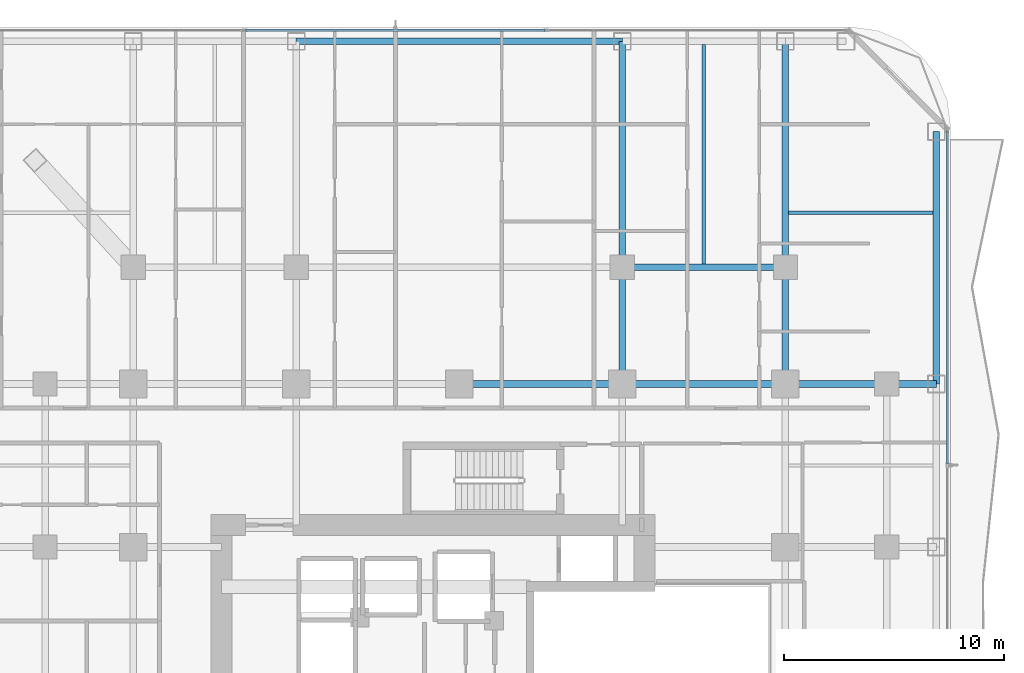
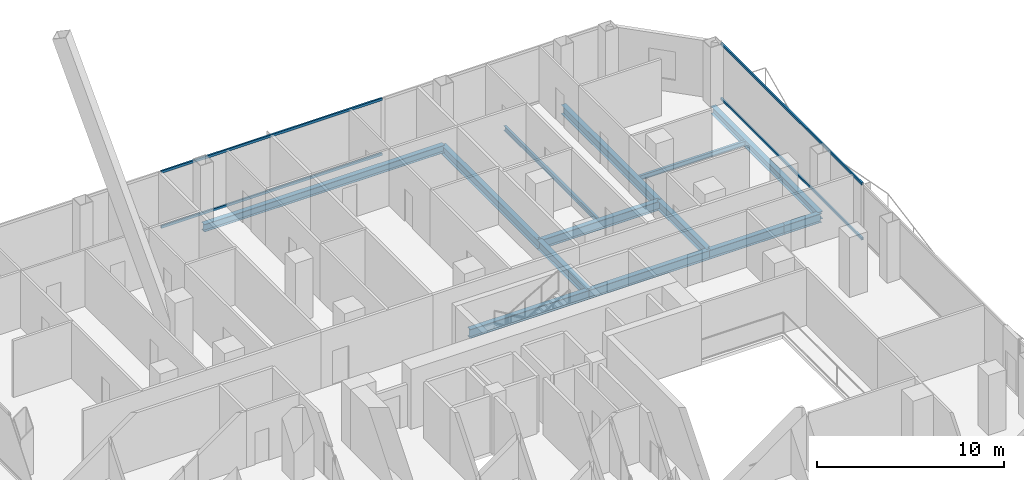
# One storey, part 15 of 28: 13 beams, 4 members, 2 elements without a shape of their own.
"""IFC4 building model written with IfcOpenShell, lengths in metres."""

import ifcopenshell
import ifcopenshell.guid

model = None  # the IFC model being written
_history = None  # IfcOwnerHistory: only IFC2X3 demands one
_inside = {}  # id of a spatial element -> (the spatial element, [elements in it])
_under = {}  # id of a project, library or spatial element -> (it, [spatial elements below it])
_declared = {}  # id of a project -> (the project, [libraries it declares])
_typed = {}  # id of a type object -> (the type object, [elements of that type])
_made_of = {}  # id of a material, layer set ... -> (it, [elements and type objects made of it])


def new_model(schema):
    """Start an empty IFC model of exactly this schema.

    Asked for "IFC4X3", IfcOpenShell would pick the latest addendum, in which some entities
    have other attributes; the version numbers below select the first issue.
    IFC2X3 requires an IfcOwnerHistory on every rooted entity: one is made here for all.
    """
    global model, _history
    if schema == "IFC4X3":
        model = ifcopenshell.file(schema_version=(4, 3, 0, 0))
    else:
        model = ifcopenshell.file(schema=schema)
    _inside.clear()
    _under.clear()
    _declared.clear()
    _typed.clear()
    _made_of.clear()
    _history = None
    if model.schema == "IFC2X3":
        org = make("IfcOrganization", Name="unknown")
        user = make(
            "IfcPersonAndOrganization",
            ThePerson=make("IfcPerson", FamilyName="unknown"),
            TheOrganization=org,
        )
        app = make(
            "IfcApplication",
            ApplicationDeveloper=org,
            Version="unknown",
            ApplicationFullName="unknown",
            ApplicationIdentifier="unknown",
        )
        _history = make(
            "IfcOwnerHistory",
            OwningUser=user,
            OwningApplication=app,
            ChangeAction="ADDED",
            CreationDate=0,
        )
    return model


def make(cls, **values):
    """One entity of the class cls with the attributes given. An attribute that is None is left unset."""
    return model.create_entity(
        cls, **{name: value for name, value in values.items() if value is not None}
    )


def rooted(cls, **values):
    """An entity with a GlobalId (a new one), such as an element, a storey or a relation."""
    return make(cls, GlobalId=ifcopenshell.guid.new(), OwnerHistory=_history, **values)


def si_unit(unit_type, name, prefix=None):
    """IfcSIUnit, for example si_unit("LENGTHUNIT", "METRE", prefix="MILLI")."""
    return make("IfcSIUnit", UnitType=unit_type, Prefix=prefix, Name=name)


def assignment(units):
    """IfcUnitAssignment: the units of a project."""
    return None if units is None else make("IfcUnitAssignment", Units=units)


def point(xyz):
    """IfcCartesianPoint."""
    return None if xyz is None else make("IfcCartesianPoint", Coordinates=xyz)


def direction(xyz):
    """IfcDirection."""
    return None if xyz is None else make("IfcDirection", DirectionRatios=xyz)


def frame(location, z_axis=None, x_axis=None):
    """IfcAxis2Placement3D, a coordinate frame: its origin and axes. An axis left out is left unset."""
    return make(
        "IfcAxis2Placement3D",
        Location=point(location),
        Axis=direction(z_axis),
        RefDirection=direction(x_axis),
    )


def frame_2d(location, x_axis=None):
    """IfcAxis2Placement2D, a coordinate frame in the plane: its origin and x axis."""
    return make(
        "IfcAxis2Placement2D", Location=point(location), RefDirection=direction(x_axis)
    )


def origin():
    """The frame at (0, 0, 0) with its axes left unset."""
    return frame((0.0, 0.0, 0.0))


def origin_2d():
    """The frame at (0, 0) in the plane with its x axis left unset."""
    return frame_2d((0.0, 0.0))


def place(relative_to, where):
    """IfcLocalPlacement: puts the frame where relative to a parent placement (None: the world)."""
    return make(
        "IfcLocalPlacement", PlacementRelTo=relative_to, RelativePlacement=where
    )


def context(
    kind, dimensions, precision=None, world=None, true_north=None, identifier=None
):
    """IfcGeometricRepresentationContext, for example the 3D "Model" context."""
    return make(
        "IfcGeometricRepresentationContext",
        ContextIdentifier=identifier,
        ContextType=kind,
        CoordinateSpaceDimension=dimensions,
        Precision=precision,
        WorldCoordinateSystem=world,
        TrueNorth=true_north,
    )


def subcontext(parent, identifier, kind, view, scale=None):
    """IfcGeometricRepresentationSubContext, for example "Body" below "Model"."""
    return make(
        "IfcGeometricRepresentationSubContext",
        ContextIdentifier=identifier,
        ContextType=kind,
        ParentContext=parent,
        TargetScale=scale,
        TargetView=view,
    )


def project(units=None, contexts=None):
    """IfcProject with its units and contexts."""
    return rooted(
        "IfcProject",
        Name="project",
        RepresentationContexts=contexts,
        UnitsInContext=assignment(units),
    )


def spatial(cls, under=None, at=None, **own):
    """A site, building, storey or space (cls), placed at a placement, below another one or the project."""
    s = rooted(cls, ObjectPlacement=at, **own)
    if under is not None:
        _under.setdefault(under.id(), (under, []))[1].append(s)
    return s


def profile(cls, at=None, kind="AREA", **sizes):
    """A parametric profile (cls). Its sizes go by their IFC names, for example OverallWidth=200.0."""
    return make(cls, ProfileType=kind, Position=at, **sizes)


def hollow_rectangle(**sizes):
    """IfcRectangleHollowProfileDef."""
    return profile("IfcRectangleHollowProfileDef", **sizes)


def i_section(**sizes):
    """IfcIShapeProfileDef."""
    return profile("IfcIShapeProfileDef", **sizes)


def extrude(swept, where, along, depth):
    """IfcExtrudedAreaSolid: the profile swept, set in the frame where, extruded along a direction by depth."""
    return make(
        "IfcExtrudedAreaSolid",
        SweptArea=swept,
        Position=where,
        ExtrudedDirection=direction(along),
        Depth=depth,
    )


def shape(context_of_items, identifier, shape_type, items):
    """IfcShapeRepresentation: the items that make up one representation, for example the "Body"."""
    return make(
        "IfcShapeRepresentation",
        ContextOfItems=context_of_items,
        RepresentationIdentifier=identifier,
        RepresentationType=shape_type,
        Items=items,
    )


def material(Name=None, Category=None):
    """IfcMaterial."""
    return make("IfcMaterial", Name=Name, Category=Category)


def layer(
    of_material, thickness, ventilated=None, Name=None, Category=None, Priority=None
):
    """IfcMaterialLayer: one layer of a wall or slab, of a material (None: an air gap)."""
    return make(
        "IfcMaterialLayer",
        Material=of_material,
        LayerThickness=thickness,
        IsVentilated=ventilated,
        Name=Name,
        Category=Category,
        Priority=Priority,
    )


def layer_set(layers, Name=None):
    """IfcMaterialLayerSet."""
    return make("IfcMaterialLayerSet", MaterialLayers=layers, LayerSetName=Name)


def material_profile(
    of_material, cross_section, Name=None, Category=None, Priority=None
):
    """IfcMaterialProfile: a cross section and its material."""
    return make(
        "IfcMaterialProfile",
        Name=Name,
        Material=of_material,
        Profile=cross_section,
        Priority=Priority,
        Category=Category,
    )


def profile_set(profiles, Name=None, composite=None):
    """IfcMaterialProfileSet."""
    return make(
        "IfcMaterialProfileSet",
        Name=Name,
        MaterialProfiles=profiles,
        CompositeProfile=composite,
    )


def made_of(thing, what):
    """Note that an element or type object is made of a material, layer set ...; save() writes the relation."""
    if what is not None:
        _made_of.setdefault(what.id(), (what, []))[1].append(thing)
    return thing


def type_object(cls, material=None, **own):
    """A type object (cls), such as IfcWallType, which elements share."""
    return made_of(rooted(cls, **own), material)


def element(
    cls,
    number,
    at=None,
    inside=None,
    cuts=None,
    type_object=None,
    material=None,
    context=None,
    identifier="Body",
    shape_type=None,
    held_by="IfcProductDefinitionShape",
    body=None,
    shapes=None,
    **own,
):
    """One element of the class cls, such as IfcWall. Its Tag is "e" and its number.

    at: its placement. inside: the storey or other place that contains it. cuts: it is an
    opening in that element (IfcRelVoidsElement). A single representation is given by context,
    identifier, shape_type and body (its items); several are given by shapes. held_by: the class
    of the entity that holds the representations. save() writes the other relations.
    """
    e = rooted(cls, Tag="e%d" % number, ObjectPlacement=at, **own)
    if body is not None:
        shapes = [shape(context, identifier, shape_type, body)]
    if shapes is not None:
        e.Representation = make(held_by, Representations=shapes)
    if inside is not None:
        _inside.setdefault(inside.id(), (inside, []))[1].append(e)
    if cuts is not None:
        rooted(
            "IfcRelVoidsElement", RelatingBuildingElement=cuts, RelatedOpeningElement=e
        )
    if type_object is not None:
        _typed.setdefault(type_object.id(), (type_object, []))[1].append(e)
    return made_of(e, material)


def aggregate(whole, parts):
    """IfcRelAggregates: a whole, such as a stair, and the parts it consists of."""
    return rooted("IfcRelAggregates", RelatingObject=whole, RelatedObjects=parts)


def save(model, path):
    """Write the relations noted so far, then the file.

    IfcRelAggregates (storeys below a building ...), IfcRelContainedInSpatialStructure (elements
    in a storey), IfcRelDefinesByType, IfcRelAssociatesMaterial and IfcRelDeclares: one each for
    every whole, place, type object, material and project.
    """
    for whole, parts in _under.values():
        aggregate(whole, parts)
    for where, things in _inside.values():
        rooted(
            "IfcRelContainedInSpatialStructure",
            RelatedElements=things,
            RelatingStructure=where,
        )
    for kind, things in _typed.values():
        rooted("IfcRelDefinesByType", RelatedObjects=things, RelatingType=kind)
    for what, things in _made_of.values():
        rooted("IfcRelAssociatesMaterial", RelatedObjects=things, RelatingMaterial=what)
    for by, libraries in _declared.values():
        rooted("IfcRelDeclares", RelatingContext=by, RelatedDefinitions=libraries)
    model.write(path)


model = new_model("IFC4")

# Units and contexts
model_context = context("Model", 3, precision=1e-05, world=origin(), true_north=direction((0.0, 1.0)))
body_context = subcontext(model_context, "Body", "Model", "MODEL_VIEW")
ifc_project = project(units=[si_unit("LENGTHUNIT", "METRE"), si_unit("AREAUNIT", "SQUARE_METRE"), si_unit("VOLUMEUNIT", "CUBIC_METRE"), si_unit("PLANEANGLEUNIT", "RADIAN"), si_unit("MASSUNIT", "GRAM", prefix="KILO")], contexts=[model_context])

# Site, building, storey
site_placement = place(None, origin())
site = spatial("IfcSite", under=ifc_project, at=site_placement, CompositionType="ELEMENT")
building_placement = place(site_placement, origin())
building = spatial("IfcBuilding", under=site, at=building_placement, Name="Khorvyn Point Tower", CompositionType="ELEMENT")
storey_placement = place(building_placement, frame((0.0, 0.0, 89.10009765625)))
storey = spatial("IfcBuildingStorey", under=building, at=storey_placement, Name="L22", CompositionType="ELEMENT", Elevation=89.10009765625)

# Curtain wall, members
ifc_material_1 = material(Name="Anodised aluminium 6063-T6 and laminated Low-E glass", Category="aluminium")
ifc_layer = layer(ifc_material_1, 0.18994140625)
ifc_layer_set = layer_set([ifc_layer], Name="Stick-Built Finned Residential Curtain Wall CW-SYS-02")
curtain_wall_type = type_object("IfcCurtainWallType", Name="Stick-Built Finned Residential Curtain Wall CW-SYS-02", PredefinedType="NOTDEFINED", material=ifc_layer_set)
curtain_wall_1_placement = place(storey_placement, origin())
curtain_wall_1 = element("IfcCurtainWall", 1, at=curtain_wall_1_placement, inside=storey, type_object=curtain_wall_type, Name="Curtain Wall", PredefinedType="NOTDEFINED")
ifc_material_2 = material(Name="Anodised aluminium 6063-T6", Category="aluminium")
ifc_material_profile_1 = material_profile(ifc_material_2, hollow_rectangle(XDim=0.10009765625, YDim=0.159912109375, WallThickness=0.00439453125, at=origin_2d()))
ifc_profile_set_1 = profile_set([ifc_material_profile_1], Name="Anodised aluminium 6063-T6 ALU-TRN-100x160")
member_type = type_object("IfcMemberType", Name="Anodised Aluminium 6063-T6 Transom ALU-TRN-100x160", PredefinedType="USERDEFINED", material=ifc_profile_set_1)
member_1_placement = place(storey_placement, frame((-9.699951171875, 30.85009765625, 0.0498046875), z_axis=(1.0, 0.0, 0.0), x_axis=(0.0, 1.0, 0.0)))
member_1 = element("IfcMember", 2, at=member_1_placement, type_object=member_type, Name="Transom", ObjectType="TRANSOM", PredefinedType="USERDEFINED", context=body_context, shape_type="SweptSolid", body=[
    extrude(hollow_rectangle(XDim=0.10009765625, YDim=0.159912109375, WallThickness=0.00439453125, at=origin_2d()), origin(), (0.0, 0.0, 1.0), 13.599853515625),
])
member_2_placement = place(storey_placement, frame((-9.699951171875, 30.85009765625, 3.6298828125), z_axis=(1.0, 0.0, 0.0), x_axis=(0.0, 1.0, 0.0)))
member_2 = element("IfcMember", 3, at=member_2_placement, type_object=member_type, Name="Transom", ObjectType="TRANSOM", PredefinedType="USERDEFINED", context=body_context, shape_type="SweptSolid", body=[
    extrude(hollow_rectangle(XDim=0.10009765625, YDim=0.159912109375, WallThickness=0.00439453125, at=origin_2d()), origin(), (0.0, 0.0, 1.0), 13.599853515625),
])
aggregate(curtain_wall_1, [member_1, member_2])

curtain_wall_2_placement = place(storey_placement, origin())
curtain_wall_2 = element("IfcCurtainWall", 4, at=curtain_wall_2_placement, inside=storey, type_object=curtain_wall_type, Name="Curtain Wall", PredefinedType="NOTDEFINED")
member_3_placement = place(storey_placement, frame((22.14990234375, 26.25, 0.0498046875), z_axis=(0.0, -1.0, 0.0), x_axis=(1.0, 0.0, 0.0)))
member_3 = element("IfcMember", 5, at=member_3_placement, type_object=member_type, Name="Transom", ObjectType="TRANSOM", PredefinedType="USERDEFINED", context=body_context, shape_type="SweptSolid", body=[
    extrude(hollow_rectangle(XDim=0.10009765625, YDim=0.159912109375, WallThickness=0.00439453125, at=origin_2d()), origin(), (0.0, 0.0, 1.0), 15.080078125),
])
member_4_placement = place(storey_placement, frame((22.14990234375, 26.25, 3.6298828125), z_axis=(0.0, -1.0, 0.0), x_axis=(1.0, 0.0, 0.0)))
member_4 = element("IfcMember", 6, at=member_4_placement, type_object=member_type, Name="Transom", ObjectType="TRANSOM", PredefinedType="USERDEFINED", context=body_context, shape_type="SweptSolid", body=[
    extrude(hollow_rectangle(XDim=0.10009765625, YDim=0.159912109375, WallThickness=0.00439453125, at=origin_2d()), origin(), (0.0, 0.0, 1.0), 15.080078125),
])
aggregate(curtain_wall_2, [member_3, member_4])

# Beams
ifc_material_3 = material(Name="Steel S355", Category="steel")
ifc_material_profile_2 = material_profile(ifc_material_3, i_section(OverallWidth=0.300048828125, OverallDepth=0.587890625, WebThickness=0.011962890625, FlangeThickness=0.02001953125, at=origin_2d()))
ifc_profile_set_2 = profile_set([ifc_material_profile_2], Name="Steel S355 H588x300x12x20")
beam_type_1 = type_object("IfcBeamType", Name="Steel S355 Beam H588x300x12x20", PredefinedType="BEAM", material=ifc_profile_set_2)
beam_1_placement = place(storey_placement, frame((0.0, 14.800048828125, -0.51416015625), z_axis=(1.0, 0.0, 0.0), x_axis=(0.0, 1.0, 0.0)))
element("IfcBeam", 7, at=beam_1_placement, inside=storey, type_object=beam_type_1, Name="Beam", PredefinedType="BEAM", context=body_context, shape_type="SweptSolid", body=[
    extrude(i_section(OverallWidth=0.300048828125, OverallDepth=0.587890625, WebThickness=0.011962890625, FlangeThickness=0.02001953125, at=origin_2d()), origin(), (0.0, 0.0, 1.0), 7.39990234375),
])
beam_2_placement = place(storey_placement, frame((7.39990234375, 14.800048828125, -0.51416015625), z_axis=(1.0, 0.0, 0.0), x_axis=(0.0, 1.0, 0.0)))
element("IfcBeam", 8, at=beam_2_placement, inside=storey, type_object=beam_type_1, Name="Beam", PredefinedType="BEAM", context=body_context, shape_type="SweptSolid", body=[
    extrude(i_section(OverallWidth=0.300048828125, OverallDepth=0.587890625, WebThickness=0.011962890625, FlangeThickness=0.02001953125, at=origin_2d()), origin(), (0.0, 0.0, 1.0), 7.400146484375),
])
beam_3_placement = place(storey_placement, frame((14.800048828125, 14.800048828125, -0.51416015625), z_axis=(1.0, 0.0, 0.0), x_axis=(0.0, 1.0, 0.0)))
element("IfcBeam", 9, at=beam_3_placement, inside=storey, type_object=beam_type_1, Name="Beam", PredefinedType="BEAM", context=body_context, shape_type="SweptSolid", body=[
    extrude(i_section(OverallWidth=0.300048828125, OverallDepth=0.587890625, WebThickness=0.011962890625, FlangeThickness=0.02001953125, at=origin_2d()), origin(), (0.0, 0.0, 1.0), 4.599853515625),
])
beam_4_placement = place(storey_placement, frame((19.39990234375, 14.800048828125, -0.51416015625), z_axis=(1.0, 0.0, 0.0), x_axis=(0.0, 1.0, 0.0)))
element("IfcBeam", 10, at=beam_4_placement, inside=storey, type_object=beam_type_1, Name="Beam", PredefinedType="BEAM", context=body_context, shape_type="SweptSolid", body=[
    extrude(i_section(OverallWidth=0.300048828125, OverallDepth=0.587890625, WebThickness=0.011962890625, FlangeThickness=0.02001953125, at=origin_2d()), origin(), (0.0, 0.0, 1.0), 2.25),
])
beam_5_placement = place(storey_placement, frame((7.39990234375, 20.10009765625, -0.51416015625), z_axis=(1.0, 0.0, 0.0), x_axis=(0.0, 1.0, 0.0)))
element("IfcBeam", 11, at=beam_5_placement, inside=storey, type_object=beam_type_1, Name="Beam", PredefinedType="BEAM", context=body_context, shape_type="SweptSolid", body=[
    extrude(i_section(OverallWidth=0.300048828125, OverallDepth=0.587890625, WebThickness=0.011962890625, FlangeThickness=0.02001953125, at=origin_2d()), origin(), (0.0, 0.0, 1.0), 7.400146484375),
])
beam_6_placement = place(storey_placement, frame((14.800048828125, 14.800048828125, -0.51416015625), z_axis=(0.0, 1.0, 0.0), x_axis=(-1.0, 0.0, 0.0)))
element("IfcBeam", 12, at=beam_6_placement, inside=storey, type_object=beam_type_1, Name="Beam", PredefinedType="BEAM", context=body_context, shape_type="SweptSolid", body=[
    extrude(i_section(OverallWidth=0.300048828125, OverallDepth=0.587890625, WebThickness=0.011962890625, FlangeThickness=0.02001953125, at=origin_2d()), origin(), (0.0, 0.0, 1.0), 5.300048828125),
])
beam_7_placement = place(storey_placement, frame((14.800048828125, 20.10009765625, -0.51416015625), z_axis=(0.0, 1.0, 0.0), x_axis=(-1.0, 0.0, 0.0)))
element("IfcBeam", 13, at=beam_7_placement, inside=storey, type_object=beam_type_1, Name="Beam", PredefinedType="BEAM", context=body_context, shape_type="SweptSolid", body=[
    extrude(i_section(OverallWidth=0.300048828125, OverallDepth=0.587890625, WebThickness=0.011962890625, FlangeThickness=0.02001953125, at=origin_2d()), origin(), (0.0, 0.0, 1.0), 10.25),
])
beam_8_placement = place(storey_placement, frame((7.39990234375, 14.800048828125, -0.51416015625), z_axis=(0.0, 1.0, 0.0), x_axis=(-1.0, 0.0, 0.0)))
element("IfcBeam", 14, at=beam_8_placement, inside=storey, type_object=beam_type_1, Name="Beam", PredefinedType="BEAM", context=body_context, shape_type="SweptSolid", body=[
    extrude(i_section(OverallWidth=0.300048828125, OverallDepth=0.587890625, WebThickness=0.011962890625, FlangeThickness=0.02001953125, at=origin_2d()), origin(), (0.0, 0.0, 1.0), 5.300048828125),
])
beam_9_placement = place(storey_placement, frame((7.39990234375, 20.10009765625, -0.51416015625), z_axis=(0.0, 1.0, 0.0), x_axis=(-1.0, 0.0, 0.0)))
element("IfcBeam", 15, at=beam_9_placement, inside=storey, type_object=beam_type_1, Name="Beam", PredefinedType="BEAM", context=body_context, shape_type="SweptSolid", body=[
    extrude(i_section(OverallWidth=0.300048828125, OverallDepth=0.587890625, WebThickness=0.011962890625, FlangeThickness=0.02001953125, at=origin_2d()), origin(), (0.0, 0.0, 1.0), 10.25),
])
ifc_material_profile_3 = material_profile(ifc_material_3, i_section(OverallWidth=0.14990234375, OverallDepth=0.300048828125, WebThickness=0.006591796875, FlangeThickness=0.009033203125, at=origin_2d()))
ifc_profile_set_3 = profile_set([ifc_material_profile_3], Name="Steel S355 H300x150x6.5x9")
beam_type_2 = type_object("IfcBeamType", Name="Steel S355 Joist H300x150x6.5x9", PredefinedType="JOIST", material=ifc_profile_set_3)
beam_10_placement = place(storey_placement, frame((11.10009765625, 20.25, -0.3701171875), z_axis=(0.0, 1.0, 0.0), x_axis=(-1.0, 0.0, 0.0)))
element("IfcBeam", 16, at=beam_10_placement, inside=storey, type_object=beam_type_2, Name="Beam", PredefinedType="JOIST", context=body_context, shape_type="SweptSolid", body=[
    extrude(i_section(OverallWidth=0.14990234375, OverallDepth=0.300048828125, WebThickness=0.006591796875, FlangeThickness=0.009033203125, at=origin_2d()), origin(), (0.0, 0.0, 1.0), 9.949951171875),
])
beam_11_placement = place(storey_placement, frame((14.949951171875, 22.574951171875, -0.3701171875), z_axis=(1.0, 0.0, 0.0), x_axis=(0.0, 1.0, 0.0)))
element("IfcBeam", 17, at=beam_11_placement, inside=storey, type_object=beam_type_2, Name="Beam", PredefinedType="JOIST", context=body_context, shape_type="SweptSolid", body=[
    extrude(i_section(OverallWidth=0.14990234375, OverallDepth=0.300048828125, WebThickness=0.006591796875, FlangeThickness=0.009033203125, at=origin_2d()), origin(), (0.0, 0.0, 1.0), 6.550048828125),
])
ifc_material_profile_4 = material_profile(ifc_material_3, i_section(OverallWidth=0.300048828125, OverallDepth=0.488037109375, WebThickness=0.010986328125, FlangeThickness=0.01806640625, at=origin_2d()))
ifc_profile_set_4 = profile_set([ifc_material_profile_4], Name="Steel S355 H488x300x11x18")
beam_type_3 = type_object("IfcBeamType", Name="Steel S355 Spandrel H488x300x11x18", PredefinedType="SPANDREL", material=ifc_profile_set_4)
beam_12_placement = place(storey_placement, frame((-7.39990234375, 30.35009765625, -0.464111328125), z_axis=(1.0, 0.0, 0.0), x_axis=(0.0, 1.0, 0.0)))
element("IfcBeam", 18, at=beam_12_placement, inside=storey, type_object=beam_type_3, Name="Beam", PredefinedType="SPANDREL", context=body_context, shape_type="SweptSolid", body=[
    extrude(i_section(OverallWidth=0.300048828125, OverallDepth=0.488037109375, WebThickness=0.010986328125, FlangeThickness=0.01806640625, at=origin_2d()), origin(), (0.0, 0.0, 1.0), 14.7998046875),
])
beam_13_placement = place(storey_placement, frame((21.64990234375, 14.800048828125, -0.464111328125), z_axis=(0.0, 1.0, 0.0), x_axis=(-1.0, 0.0, 0.0)))
element("IfcBeam", 19, at=beam_13_placement, inside=storey, type_object=beam_type_3, Name="Beam", PredefinedType="SPANDREL", context=body_context, shape_type="SweptSolid", body=[
    extrude(i_section(OverallWidth=0.300048828125, OverallDepth=0.488037109375, WebThickness=0.010986328125, FlangeThickness=0.01806640625, at=origin_2d()), origin(), (0.0, 0.0, 1.0), 11.449951171875),
])

save(model, "model.ifc")
